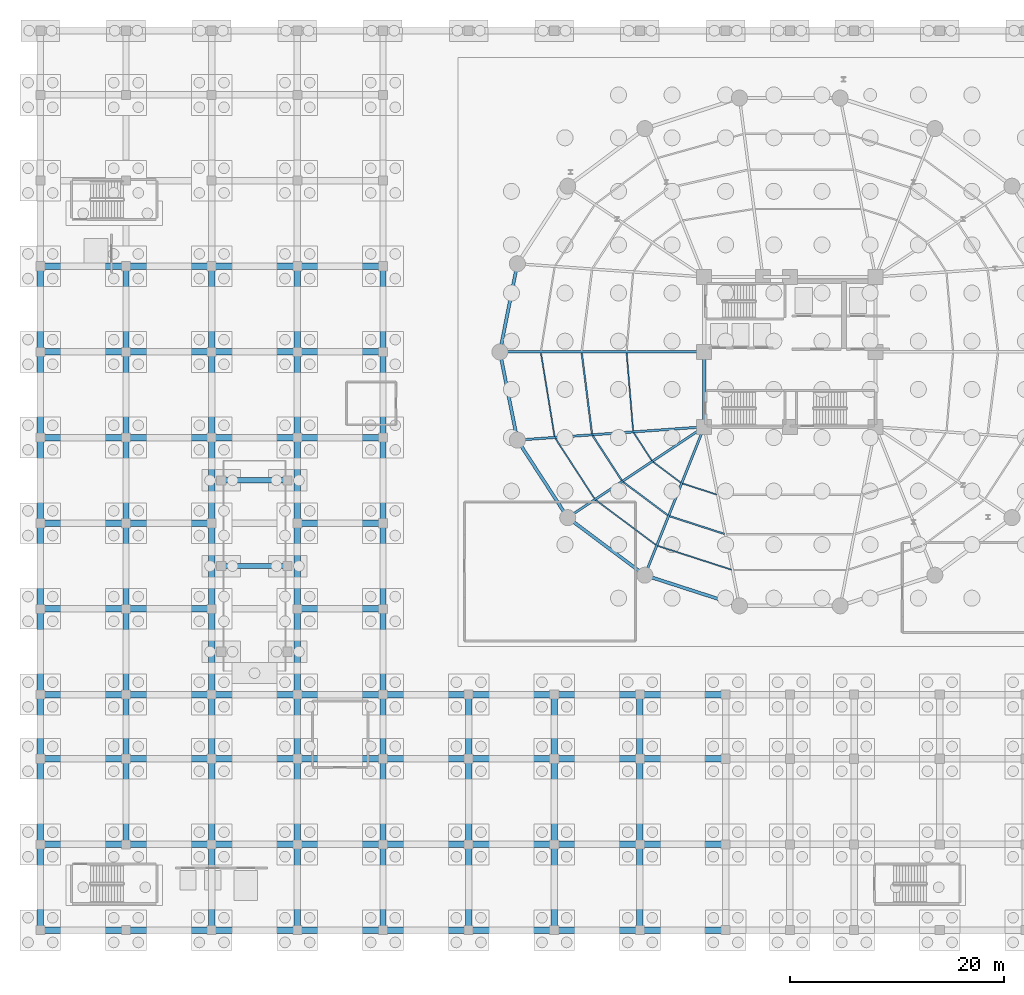
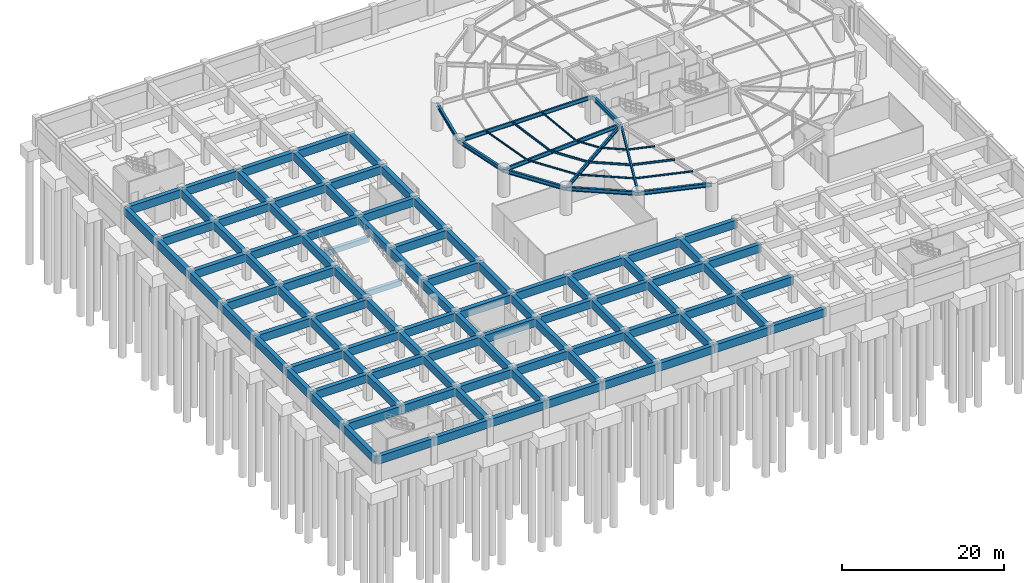
# One storey, part 8 of 23: 122 beams.
"""IFC4 building model written with IfcOpenShell, lengths in metres."""

from ifc_helpers import new_model, si_unit, direction, frame, origin, origin_2d, place, context, subcontext, project, spatial, rectangle, i_section, extrude, material, material_profile, profile_set, type_object, element, save


model = new_model("IFC4")

# Units and contexts
model_context = context("Model", 3, precision=1e-05, world=origin(), true_north=direction((0.0, 1.0)))
body_context = subcontext(model_context, "Body", "Model", "MODEL_VIEW")
ifc_project = project(units=[si_unit("LENGTHUNIT", "METRE"), si_unit("AREAUNIT", "SQUARE_METRE"), si_unit("VOLUMEUNIT", "CUBIC_METRE"), si_unit("PLANEANGLEUNIT", "RADIAN"), si_unit("MASSUNIT", "GRAM", prefix="KILO")], contexts=[model_context])

# Site, building, storey
site_placement = place(None, origin())
site = spatial("IfcSite", under=ifc_project, at=site_placement, CompositionType="ELEMENT")
building_placement = place(site_placement, origin())
building = spatial("IfcBuilding", under=site, at=building_placement, Name="Kelanora Arch Commons", CompositionType="ELEMENT")
storey_placement = place(building_placement, frame((0.0, 0.0, -8.39990234375)))
storey = spatial("IfcBuildingStorey", under=building, at=storey_placement, Name="B02", CompositionType="ELEMENT", Elevation=-8.39990234375)

# Beams
ifc_material_1 = material(Name="Concrete C45/55", Category="concrete")
ifc_material_profile_1 = material_profile(ifc_material_1, rectangle(XDim=0.60009765625, YDim=1.199951171875, at=origin_2d()), Name="RCB600x1200")
ifc_profile_set_1 = profile_set([ifc_material_profile_1], Name="Concrete C45/55")
beam_type_1 = type_object("IfcBeamType", Name="BM-BSMT-RC", PredefinedType="BEAM", material=ifc_profile_set_1)
for number, where, z_axis, x_axis, name in (
    (1, (4.0, 4.0, 3.2998046875), (1.0, 0.0, 0.0), (0.0, 1.0, 0.0), "Market/Basement Frame Beam 001 B02"),
    (2, (4.0, 4.0, 3.2998046875), (0.0, 1.0, 0.0), (-1.0, 0.0, 0.0), "Market/Basement Frame Beam 002 B02"),
    (3, (4.0, 12.0, 3.2998046875), (1.0, 0.0, 0.0), (0.0, 1.0, 0.0), "Market/Basement Frame Beam 003 B02"),
    (4, (4.0, 12.0, 3.2998046875), (0.0, 1.0, 0.0), (-1.0, 0.0, 0.0), "Market/Basement Frame Beam 004 B02"),
    (5, (4.0, 20.0, 3.2998046875), (1.0, 0.0, 0.0), (0.0, 1.0, 0.0), "Market/Basement Frame Beam 005 B02"),
):
    element("IfcBeam", number, at=place(storey_placement, frame(where, z_axis=z_axis, x_axis=x_axis)), inside=storey, type_object=beam_type_1, Name=name, PredefinedType="BEAM", context=body_context, shape_type="SweptSolid", body=[
        extrude(rectangle(XDim=0.60009765625, YDim=1.199951171875, at=origin_2d()), origin(), (0.0, 0.0, 1.0), 8.0),
    ])
beam_1_placement = place(storey_placement, frame((4.0, 20.0, 3.2998046875), z_axis=(0.0, 1.0, 0.0), x_axis=(-1.0, 0.0, 0.0)))
element("IfcBeam", 6, at=beam_1_placement, inside=storey, type_object=beam_type_1, Name="Market/Basement Frame Beam 006 B02", PredefinedType="BEAM", context=body_context, shape_type="SweptSolid", body=[
    extrude(rectangle(XDim=0.60009765625, YDim=1.199951171875, at=origin_2d()), origin(), (0.0, 0.0, 1.0), 6.0),
])
for number, where, z_axis, x_axis, name in (
    (7, (4.0, 26.0, 3.2998046875), (1.0, 0.0, 0.0), (0.0, 1.0, 0.0), "Market/Basement Frame Beam 007 B02"),
    (8, (4.0, 26.0, 3.2998046875), (0.0, 1.0, 0.0), (-1.0, 0.0, 0.0), "Market/Basement Frame Beam 008 B02"),
    (9, (4.0, 34.0, 3.2998046875), (1.0, 0.0, 0.0), (0.0, 1.0, 0.0), "Market/Basement Frame Beam 009 B02"),
    (10, (4.0, 34.0, 3.2998046875), (0.0, 1.0, 0.0), (-1.0, 0.0, 0.0), "Market/Basement Frame Beam 010 B02"),
    (11, (4.0, 42.0, 3.2998046875), (1.0, 0.0, 0.0), (0.0, 1.0, 0.0), "Market/Basement Frame Beam 011 B02"),
    (12, (4.0, 42.0, 3.2998046875), (0.0, 1.0, 0.0), (-1.0, 0.0, 0.0), "Market/Basement Frame Beam 012 B02"),
    (13, (4.0, 50.0, 3.2998046875), (1.0, 0.0, 0.0), (0.0, 1.0, 0.0), "Market/Basement Frame Beam 013 B02"),
    (14, (4.0, 50.0, 3.2998046875), (0.0, 1.0, 0.0), (-1.0, 0.0, 0.0), "Market/Basement Frame Beam 014 B02"),
    (15, (4.0, 58.0, 3.2998046875), (1.0, 0.0, 0.0), (0.0, 1.0, 0.0), "Market/Basement Frame Beam 015 B02"),
    (16, (4.0, 58.0, 3.2998046875), (0.0, 1.0, 0.0), (-1.0, 0.0, 0.0), "Market/Basement Frame Beam 016 B02"),
    (17, (4.0, 66.0, 3.2998046875), (1.0, 0.0, 0.0), (0.0, 1.0, 0.0), "Market/Basement Frame Beam 017 B02"),
    (18, (12.0, 4.0, 3.2998046875), (1.0, 0.0, 0.0), (0.0, 1.0, 0.0), "Market/Basement Frame Beam 023 B02"),
    (19, (12.0, 12.0, 3.2998046875), (1.0, 0.0, 0.0), (0.0, 1.0, 0.0), "Market/Basement Frame Beam 024 B02"),
    (20, (12.0, 12.0, 3.2998046875), (0.0, 1.0, 0.0), (-1.0, 0.0, 0.0), "Market/Basement Frame Beam 025 B02"),
    (21, (12.0, 20.0, 3.2998046875), (1.0, 0.0, 0.0), (0.0, 1.0, 0.0), "Market/Basement Frame Beam 026 B02"),
):
    element("IfcBeam", number, at=place(storey_placement, frame(where, z_axis=z_axis, x_axis=x_axis)), inside=storey, type_object=beam_type_1, Name=name, PredefinedType="BEAM", context=body_context, shape_type="SweptSolid", body=[
        extrude(rectangle(XDim=0.60009765625, YDim=1.199951171875, at=origin_2d()), origin(), (0.0, 0.0, 1.0), 8.0),
    ])
beam_2_placement = place(storey_placement, frame((12.0, 20.0, 3.2998046875), z_axis=(0.0, 1.0, 0.0), x_axis=(-1.0, 0.0, 0.0)))
element("IfcBeam", 22, at=beam_2_placement, inside=storey, type_object=beam_type_1, Name="Market/Basement Frame Beam 027 B02", PredefinedType="BEAM", context=body_context, shape_type="SweptSolid", body=[
    extrude(rectangle(XDim=0.60009765625, YDim=1.199951171875, at=origin_2d()), origin(), (0.0, 0.0, 1.0), 6.0),
])
for number, where, z_axis, x_axis, name in (
    (23, (12.0, 26.0, 3.2998046875), (1.0, 0.0, 0.0), (0.0, 1.0, 0.0), "Market/Basement Frame Beam 028 B02"),
    (24, (12.0, 26.0, 3.2998046875), (0.0, 1.0, 0.0), (-1.0, 0.0, 0.0), "Market/Basement Frame Beam 029 B02"),
    (25, (12.0, 34.0, 3.2998046875), (1.0, 0.0, 0.0), (0.0, 1.0, 0.0), "Market/Basement Frame Beam 030 B02"),
    (26, (12.0, 34.0, 3.2998046875), (0.0, 1.0, 0.0), (-1.0, 0.0, 0.0), "Market/Basement Frame Beam 031 B02"),
    (27, (12.0, 42.0, 3.2998046875), (1.0, 0.0, 0.0), (0.0, 1.0, 0.0), "Market/Basement Frame Beam 032 B02"),
    (28, (12.0, 42.0, 3.2998046875), (0.0, 1.0, 0.0), (-1.0, 0.0, 0.0), "Market/Basement Frame Beam 033 B02"),
    (29, (12.0, 50.0, 3.2998046875), (1.0, 0.0, 0.0), (0.0, 1.0, 0.0), "Market/Basement Frame Beam 034 B02"),
    (30, (12.0, 50.0, 3.2998046875), (0.0, 1.0, 0.0), (-1.0, 0.0, 0.0), "Market/Basement Frame Beam 035 B02"),
    (31, (12.0, 58.0, 3.2998046875), (1.0, 0.0, 0.0), (0.0, 1.0, 0.0), "Market/Basement Frame Beam 036 B02"),
    (32, (12.0, 58.0, 3.2998046875), (0.0, 1.0, 0.0), (-1.0, 0.0, 0.0), "Market/Basement Frame Beam 037 B02"),
    (33, (12.0, 66.0, 3.2998046875), (1.0, 0.0, 0.0), (0.0, 1.0, 0.0), "Market/Basement Frame Beam 038 B02"),
    (34, (20.0, 4.0, 3.2998046875), (1.0, 0.0, 0.0), (0.0, 1.0, 0.0), "Market/Basement Frame Beam 042 B02"),
    (35, (20.0, 4.0, 3.2998046875), (0.0, 1.0, 0.0), (-1.0, 0.0, 0.0), "Market/Basement Frame Beam 043 B02"),
    (36, (20.0, 12.0, 3.2998046875), (1.0, 0.0, 0.0), (0.0, 1.0, 0.0), "Market/Basement Frame Beam 044 B02"),
    (37, (20.0, 12.0, 3.2998046875), (0.0, 1.0, 0.0), (-1.0, 0.0, 0.0), "Market/Basement Frame Beam 045 B02"),
    (38, (20.0, 20.0, 3.2998046875), (1.0, 0.0, 0.0), (0.0, 1.0, 0.0), "Market/Basement Frame Beam 046 B02"),
):
    element("IfcBeam", number, at=place(storey_placement, frame(where, z_axis=z_axis, x_axis=x_axis)), inside=storey, type_object=beam_type_1, Name=name, PredefinedType="BEAM", context=body_context, shape_type="SweptSolid", body=[
        extrude(rectangle(XDim=0.60009765625, YDim=1.199951171875, at=origin_2d()), origin(), (0.0, 0.0, 1.0), 8.0),
    ])
beam_3_placement = place(storey_placement, frame((20.0, 20.0, 3.2998046875), z_axis=(0.0, 1.0, 0.0), x_axis=(-1.0, 0.0, 0.0)))
element("IfcBeam", 39, at=beam_3_placement, inside=storey, type_object=beam_type_1, Name="Market/Basement Frame Beam 047 B02", PredefinedType="BEAM", context=body_context, shape_type="SweptSolid", body=[
    extrude(rectangle(XDim=0.60009765625, YDim=1.199951171875, at=origin_2d()), origin(), (0.0, 0.0, 1.0), 6.0),
])
for number, where, z_axis, x_axis, name in (
    (40, (20.0, 26.0, 3.2998046875), (1.0, 0.0, 0.0), (0.0, 1.0, 0.0), "Market/Basement Frame Beam 048 B02"),
    (41, (20.0, 26.0, 3.2998046875), (0.0, 1.0, 0.0), (-1.0, 0.0, 0.0), "Market/Basement Frame Beam 049 B02"),
    (42, (20.0, 34.0, 3.2998046875), (0.0, 1.0, 0.0), (-1.0, 0.0, 0.0), "Market/Basement Frame Beam 050 B02"),
    (43, (20.0, 42.0, 3.2998046875), (0.0, 1.0, 0.0), (-1.0, 0.0, 0.0), "Market/Basement Frame Beam 051 B02"),
    (44, (20.0, 50.0, 3.2998046875), (1.0, 0.0, 0.0), (0.0, 1.0, 0.0), "Market/Basement Frame Beam 052 B02"),
    (45, (20.0, 50.0, 3.2998046875), (0.0, 1.0, 0.0), (-1.0, 0.0, 0.0), "Market/Basement Frame Beam 053 B02"),
    (46, (20.0, 58.0, 3.2998046875), (1.0, 0.0, 0.0), (0.0, 1.0, 0.0), "Market/Basement Frame Beam 054 B02"),
    (47, (20.0, 58.0, 3.2998046875), (0.0, 1.0, 0.0), (-1.0, 0.0, 0.0), "Market/Basement Frame Beam 055 B02"),
    (48, (20.0, 66.0, 3.2998046875), (1.0, 0.0, 0.0), (0.0, 1.0, 0.0), "Market/Basement Frame Beam 056 B02"),
    (49, (28.0, 4.0, 3.2998046875), (1.0, 0.0, 0.0), (0.0, 1.0, 0.0), "Market/Basement Frame Beam 063 B02"),
    (50, (28.0, 4.0, 3.2998046875), (0.0, 1.0, 0.0), (-1.0, 0.0, 0.0), "Market/Basement Frame Beam 064 B02"),
    (51, (28.0, 12.0, 3.2998046875), (1.0, 0.0, 0.0), (0.0, 1.0, 0.0), "Market/Basement Frame Beam 065 B02"),
    (52, (28.0, 12.0, 3.2998046875), (0.0, 1.0, 0.0), (-1.0, 0.0, 0.0), "Market/Basement Frame Beam 066 B02"),
    (53, (28.0, 20.0, 3.2998046875), (1.0, 0.0, 0.0), (0.0, 1.0, 0.0), "Market/Basement Frame Beam 067 B02"),
):
    element("IfcBeam", number, at=place(storey_placement, frame(where, z_axis=z_axis, x_axis=x_axis)), inside=storey, type_object=beam_type_1, Name=name, PredefinedType="BEAM", context=body_context, shape_type="SweptSolid", body=[
        extrude(rectangle(XDim=0.60009765625, YDim=1.199951171875, at=origin_2d()), origin(), (0.0, 0.0, 1.0), 8.0),
    ])
beam_4_placement = place(storey_placement, frame((28.0, 20.0, 3.2998046875), z_axis=(0.0, 1.0, 0.0), x_axis=(-1.0, 0.0, 0.0)))
element("IfcBeam", 54, at=beam_4_placement, inside=storey, type_object=beam_type_1, Name="Market/Basement Frame Beam 068 B02", PredefinedType="BEAM", context=body_context, shape_type="SweptSolid", body=[
    extrude(rectangle(XDim=0.60009765625, YDim=1.199951171875, at=origin_2d()), origin(), (0.0, 0.0, 1.0), 6.0),
])
for number, where, z_axis, x_axis, name in (
    (55, (28.0, 26.0, 3.2998046875), (1.0, 0.0, 0.0), (0.0, 1.0, 0.0), "Market/Basement Frame Beam 069 B02"),
    (56, (28.0, 26.0, 3.2998046875), (0.0, 1.0, 0.0), (-1.0, 0.0, 0.0), "Market/Basement Frame Beam 070 B02"),
    (57, (28.0, 34.0, 3.2998046875), (1.0, 0.0, 0.0), (0.0, 1.0, 0.0), "Market/Basement Frame Beam 071 B02"),
    (58, (28.0, 34.0, 3.2998046875), (0.0, 1.0, 0.0), (-1.0, 0.0, 0.0), "Market/Basement Frame Beam 072 B02"),
    (59, (28.0, 42.0, 3.2998046875), (1.0, 0.0, 0.0), (0.0, 1.0, 0.0), "Market/Basement Frame Beam 073 B02"),
    (60, (28.0, 42.0, 3.2998046875), (0.0, 1.0, 0.0), (-1.0, 0.0, 0.0), "Market/Basement Frame Beam 074 B02"),
    (61, (28.0, 50.0, 3.2998046875), (1.0, 0.0, 0.0), (0.0, 1.0, 0.0), "Market/Basement Frame Beam 075 B02"),
    (62, (28.0, 50.0, 3.2998046875), (0.0, 1.0, 0.0), (-1.0, 0.0, 0.0), "Market/Basement Frame Beam 076 B02"),
    (63, (28.0, 58.0, 3.2998046875), (1.0, 0.0, 0.0), (0.0, 1.0, 0.0), "Market/Basement Frame Beam 077 B02"),
    (64, (28.0, 58.0, 3.2998046875), (0.0, 1.0, 0.0), (-1.0, 0.0, 0.0), "Market/Basement Frame Beam 078 B02"),
    (65, (28.0, 66.0, 3.2998046875), (1.0, 0.0, 0.0), (0.0, 1.0, 0.0), "Market/Basement Frame Beam 079 B02"),
    (66, (36.0, 4.0, 3.2998046875), (1.0, 0.0, 0.0), (0.0, 1.0, 0.0), "Market/Basement Frame Beam 086 B02"),
    (67, (36.0, 4.0, 3.2998046875), (0.0, 1.0, 0.0), (-1.0, 0.0, 0.0), "Market/Basement Frame Beam 087 B02"),
    (68, (36.0, 12.0, 3.2998046875), (1.0, 0.0, 0.0), (0.0, 1.0, 0.0), "Market/Basement Frame Beam 088 B02"),
    (69, (36.0, 12.0, 3.2998046875), (0.0, 1.0, 0.0), (-1.0, 0.0, 0.0), "Market/Basement Frame Beam 089 B02"),
    (70, (36.0, 20.0, 3.2998046875), (1.0, 0.0, 0.0), (0.0, 1.0, 0.0), "Market/Basement Frame Beam 090 B02"),
):
    element("IfcBeam", number, at=place(storey_placement, frame(where, z_axis=z_axis, x_axis=x_axis)), inside=storey, type_object=beam_type_1, Name=name, PredefinedType="BEAM", context=body_context, shape_type="SweptSolid", body=[
        extrude(rectangle(XDim=0.60009765625, YDim=1.199951171875, at=origin_2d()), origin(), (0.0, 0.0, 1.0), 8.0),
    ])
beam_5_placement = place(storey_placement, frame((36.0, 20.0, 3.2998046875), z_axis=(0.0, 1.0, 0.0), x_axis=(-1.0, 0.0, 0.0)))
element("IfcBeam", 71, at=beam_5_placement, inside=storey, type_object=beam_type_1, Name="Market/Basement Frame Beam 091 B02", PredefinedType="BEAM", context=body_context, shape_type="SweptSolid", body=[
    extrude(rectangle(XDim=0.60009765625, YDim=1.199951171875, at=origin_2d()), origin(), (0.0, 0.0, 1.0), 6.0),
])
for number, where, z_axis, x_axis, name in (
    (72, (36.0, 26.0, 3.2998046875), (1.0, 0.0, 0.0), (0.0, 1.0, 0.0), "Market/Basement Frame Beam 092 B02"),
    (73, (36.0, 26.0, 3.2998046875), (0.0, 1.0, 0.0), (-1.0, 0.0, 0.0), "Market/Basement Frame Beam 093 B02"),
    (74, (36.0, 34.0, 3.2998046875), (0.0, 1.0, 0.0), (-1.0, 0.0, 0.0), "Market/Basement Frame Beam 094 B02"),
    (75, (36.0, 42.0, 3.2998046875), (0.0, 1.0, 0.0), (-1.0, 0.0, 0.0), "Market/Basement Frame Beam 095 B02"),
    (76, (36.0, 50.0, 3.2998046875), (0.0, 1.0, 0.0), (-1.0, 0.0, 0.0), "Market/Basement Frame Beam 096 B02"),
    (77, (36.0, 58.0, 3.2998046875), (0.0, 1.0, 0.0), (-1.0, 0.0, 0.0), "Market/Basement Frame Beam 097 B02"),
    (78, (44.0, 4.0, 3.2998046875), (1.0, 0.0, 0.0), (0.0, 1.0, 0.0), "Market/Basement Frame Beam 102 B02"),
    (79, (44.0, 4.0, 3.2998046875), (0.0, 1.0, 0.0), (-1.0, 0.0, 0.0), "Market/Basement Frame Beam 103 B02"),
    (80, (44.0, 12.0, 3.2998046875), (1.0, 0.0, 0.0), (0.0, 1.0, 0.0), "Market/Basement Frame Beam 104 B02"),
    (81, (44.0, 12.0, 3.2998046875), (0.0, 1.0, 0.0), (-1.0, 0.0, 0.0), "Market/Basement Frame Beam 105 B02"),
    (82, (44.0, 20.0, 3.2998046875), (1.0, 0.0, 0.0), (0.0, 1.0, 0.0), "Market/Basement Frame Beam 106 B02"),
):
    element("IfcBeam", number, at=place(storey_placement, frame(where, z_axis=z_axis, x_axis=x_axis)), inside=storey, type_object=beam_type_1, Name=name, PredefinedType="BEAM", context=body_context, shape_type="SweptSolid", body=[
        extrude(rectangle(XDim=0.60009765625, YDim=1.199951171875, at=origin_2d()), origin(), (0.0, 0.0, 1.0), 8.0),
    ])
beam_6_placement = place(storey_placement, frame((44.0, 20.0, 3.2998046875), z_axis=(0.0, 1.0, 0.0), x_axis=(-1.0, 0.0, 0.0)))
element("IfcBeam", 83, at=beam_6_placement, inside=storey, type_object=beam_type_1, Name="Market/Basement Frame Beam 107 B02", PredefinedType="BEAM", context=body_context, shape_type="SweptSolid", body=[
    extrude(rectangle(XDim=0.60009765625, YDim=1.199951171875, at=origin_2d()), origin(), (0.0, 0.0, 1.0), 6.0),
])
for number, where, z_axis, x_axis, name in (
    (84, (44.0, 26.0, 3.2998046875), (1.0, 0.0, 0.0), (0.0, 1.0, 0.0), "Market/Basement Frame Beam 108 B02"),
    (85, (52.0, 4.0, 3.2998046875), (1.0, 0.0, 0.0), (0.0, 1.0, 0.0), "Market/Basement Frame Beam 110 B02"),
    (86, (52.0, 4.0, 3.2998046875), (0.0, 1.0, 0.0), (-1.0, 0.0, 0.0), "Market/Basement Frame Beam 111 B02"),
    (87, (52.0, 12.0, 3.2998046875), (1.0, 0.0, 0.0), (0.0, 1.0, 0.0), "Market/Basement Frame Beam 112 B02"),
    (88, (52.0, 12.0, 3.2998046875), (0.0, 1.0, 0.0), (-1.0, 0.0, 0.0), "Market/Basement Frame Beam 113 B02"),
    (89, (52.0, 20.0, 3.2998046875), (1.0, 0.0, 0.0), (0.0, 1.0, 0.0), "Market/Basement Frame Beam 114 B02"),
):
    element("IfcBeam", number, at=place(storey_placement, frame(where, z_axis=z_axis, x_axis=x_axis)), inside=storey, type_object=beam_type_1, Name=name, PredefinedType="BEAM", context=body_context, shape_type="SweptSolid", body=[
        extrude(rectangle(XDim=0.60009765625, YDim=1.199951171875, at=origin_2d()), origin(), (0.0, 0.0, 1.0), 8.0),
    ])
beam_7_placement = place(storey_placement, frame((52.0, 20.0, 3.2998046875), z_axis=(0.0, 1.0, 0.0), x_axis=(-1.0, 0.0, 0.0)))
element("IfcBeam", 90, at=beam_7_placement, inside=storey, type_object=beam_type_1, Name="Market/Basement Frame Beam 115 B02", PredefinedType="BEAM", context=body_context, shape_type="SweptSolid", body=[
    extrude(rectangle(XDim=0.60009765625, YDim=1.199951171875, at=origin_2d()), origin(), (0.0, 0.0, 1.0), 6.0),
])
for number, where, z_axis, x_axis, name in (
    (91, (52.0, 26.0, 3.2998046875), (1.0, 0.0, 0.0), (0.0, 1.0, 0.0), "Market/Basement Frame Beam 116 B02"),
    (92, (60.0, 4.0, 3.2998046875), (1.0, 0.0, 0.0), (0.0, 1.0, 0.0), "Market/Basement Frame Beam 118 B02"),
    (93, (60.0, 4.0, 3.2998046875), (0.0, 1.0, 0.0), (-1.0, 0.0, 0.0), "Market/Basement Frame Beam 119 B02"),
    (94, (60.0, 12.0, 3.2998046875), (1.0, 0.0, 0.0), (0.0, 1.0, 0.0), "Market/Basement Frame Beam 120 B02"),
    (95, (60.0, 12.0, 3.2998046875), (0.0, 1.0, 0.0), (-1.0, 0.0, 0.0), "Market/Basement Frame Beam 121 B02"),
    (96, (60.0, 20.0, 3.2998046875), (1.0, 0.0, 0.0), (0.0, 1.0, 0.0), "Market/Basement Frame Beam 122 B02"),
):
    element("IfcBeam", number, at=place(storey_placement, frame(where, z_axis=z_axis, x_axis=x_axis)), inside=storey, type_object=beam_type_1, Name=name, PredefinedType="BEAM", context=body_context, shape_type="SweptSolid", body=[
        extrude(rectangle(XDim=0.60009765625, YDim=1.199951171875, at=origin_2d()), origin(), (0.0, 0.0, 1.0), 8.0),
    ])
beam_8_placement = place(storey_placement, frame((60.0, 20.0, 3.2998046875), z_axis=(0.0, 1.0, 0.0), x_axis=(-1.0, 0.0, 0.0)))
element("IfcBeam", 97, at=beam_8_placement, inside=storey, type_object=beam_type_1, Name="Market/Basement Frame Beam 123 B02", PredefinedType="BEAM", context=body_context, shape_type="SweptSolid", body=[
    extrude(rectangle(XDim=0.60009765625, YDim=1.199951171875, at=origin_2d()), origin(), (0.0, 0.0, 1.0), 6.0),
])
beam_9_placement = place(storey_placement, frame((60.0, 26.0, 3.2998046875), z_axis=(1.0, 0.0, 0.0), x_axis=(0.0, 1.0, 0.0)))
element("IfcBeam", 98, at=beam_9_placement, inside=storey, type_object=beam_type_1, Name="Market/Basement Frame Beam 124 B02", PredefinedType="BEAM", context=body_context, shape_type="SweptSolid", body=[
    extrude(rectangle(XDim=0.60009765625, YDim=1.199951171875, at=origin_2d()), origin(), (0.0, 0.0, 1.0), 8.0),
])
ifc_material_2 = material(Name="Steel S355", Category="steel")
ifc_material_profile_2 = material_profile(ifc_material_2, i_section(OverallWidth=0.300048828125, OverallDepth=0.699951171875, WebThickness=0.01708984375, FlangeThickness=0.031982421875, FilletRadius=0.027099609375, at=origin_2d()), Name="HEB700")
ifc_profile_set_2 = profile_set([ifc_material_profile_2], Name="Steel S355")
beam_type_2 = type_object("IfcBeamType", Name="BM-CORE-HDR", PredefinedType="BEAM", material=ifc_profile_set_2)
beam_10_placement = place(storey_placement, frame((66.0, 58.0, 3.5498046875), z_axis=(0.0, -1.0, 0.0), x_axis=(1.0, 0.0, 0.0)))
element("IfcBeam", 99, at=beam_10_placement, inside=storey, type_object=beam_type_2, Name="Core Header Beam 09 B02", PredefinedType="BEAM", context=body_context, shape_type="SweptSolid", body=[
    extrude(i_section(OverallWidth=0.300048828125, OverallDepth=0.699951171875, WebThickness=0.01708984375, FlangeThickness=0.031982421875, FilletRadius=0.027099609375, at=origin_2d()), origin(), (0.0, 0.0, 1.0), 7.0),
])
ifc_material_profile_3 = material_profile(ifc_material_2, i_section(OverallWidth=0.14990234375, OverallDepth=0.300048828125, WebThickness=0.007080078125, FlangeThickness=0.0107421875, FilletRadius=0.014892578125, at=origin_2d()), Name="IPE300")
ifc_profile_set_3 = profile_set([ifc_material_profile_3], Name="Steel S355")
beam_type_3 = type_object("IfcBeamType", Name="BM-JST-01", PredefinedType="JOIST", material=ifc_profile_set_3)
beam_11_placement = place(storey_placement, frame((54.562744140625, 57.915771484375, 3.75), z_axis=(0.125565841651, -0.992085288375, 0.0), x_axis=(0.992085288375, 0.125565841651, 0.0)))
element("IfcBeam", 100, at=beam_11_placement, inside=storey, type_object=beam_type_3, Name="Secondary Chord Joist BJB-18 B02", PredefinedType="JOIST", context=body_context, shape_type="SweptSolid", body=[
    extrude(i_section(OverallWidth=0.14990234375, OverallDepth=0.300048828125, WebThickness=0.007080078125, FlangeThickness=0.0107421875, FilletRadius=0.014892578125, at=origin_2d()), origin(), (0.0, 0.0, 1.0), 7.63330078125),
])
beam_12_placement = place(storey_placement, frame((55.578125, 50.187255859375, 3.75), z_axis=(0.544551588245, -0.838727350061, 0.0), x_axis=(0.838727350061, 0.544551588245, 0.0)))
element("IfcBeam", 101, at=beam_12_placement, inside=storey, type_object=beam_type_3, Name="Secondary Chord Joist BJB-20 B02", PredefinedType="JOIST", context=body_context, shape_type="SweptSolid", body=[
    extrude(i_section(OverallWidth=0.14990234375, OverallDepth=0.300048828125, WebThickness=0.007080078125, FlangeThickness=0.0107421875, FilletRadius=0.014892578125, at=origin_2d()), origin(), (0.0, 0.0, 1.0), 5.010986328125),
])
beam_13_placement = place(storey_placement, frame((58.42138671875, 45.8623046875, 3.75), z_axis=(0.801478251559, -0.598023922831, 0.0), x_axis=(0.598023922831, 0.801478251559, 0.0)))
element("IfcBeam", 102, at=beam_13_placement, inside=storey, type_object=beam_type_3, Name="Secondary Chord Joist BJB-22 B02", PredefinedType="JOIST", context=body_context, shape_type="SweptSolid", body=[
    extrude(i_section(OverallWidth=0.14990234375, OverallDepth=0.300048828125, WebThickness=0.007080078125, FlangeThickness=0.0107421875, FilletRadius=0.014892578125, at=origin_2d()), origin(), (0.0, 0.0, 1.0), 5.223388671875),
])
beam_14_placement = place(storey_placement, frame((62.7568359375, 42.66162109375, 3.75), z_axis=(0.951412209627, -0.307920131482, 0.0), x_axis=(0.307920131482, 0.951412209627, 0.0)))
element("IfcBeam", 103, at=beam_14_placement, inside=storey, type_object=beam_type_3, Name="Secondary Chord Joist BJB-24 B02", PredefinedType="JOIST", context=body_context, shape_type="SweptSolid", body=[
    extrude(i_section(OverallWidth=0.14990234375, OverallDepth=0.300048828125, WebThickness=0.007080078125, FlangeThickness=0.0107421875, FilletRadius=0.014892578125, at=origin_2d()), origin(), (0.0, 0.0, 1.0), 5.4033203125),
])
ifc_material_profile_4 = material_profile(ifc_material_2, i_section(OverallWidth=0.1201171875, OverallDepth=0.239990234375, WebThickness=0.006103515625, FlangeThickness=0.009765625, FilletRadius=0.014892578125, at=origin_2d()), Name="IPE240")
ifc_profile_set_4 = profile_set([ifc_material_profile_4], Name="Steel S355")
beam_type_4 = type_object("IfcBeamType", Name="BM-JST-02", PredefinedType="JOIST", material=ifc_profile_set_4)
beam_15_placement = place(storey_placement, frame((58.756591796875, 57.915283203125, 3.77978515625), z_axis=(0.082786209886, -0.996567330115, 0.0), x_axis=(0.996567330115, 0.082786209886, 0.0)))
element("IfcBeam", 104, at=beam_15_placement, inside=storey, type_object=beam_type_4, Name="Secondary Chord Joist BJA-18 B02", PredefinedType="JOIST", context=body_context, shape_type="SweptSolid", body=[
    extrude(i_section(OverallWidth=0.1201171875, OverallDepth=0.239990234375, WebThickness=0.006103515625, FlangeThickness=0.009765625, FilletRadius=0.014892578125, at=origin_2d()), origin(), (0.0, 0.0, 1.0), 7.325439453125),
])
beam_16_placement = place(storey_placement, frame((50.749755859375, 57.916015625, 3.77978515625), z_axis=(0.161400737199, -0.986888951216, 0.0), x_axis=(0.986888951216, 0.161400737199, 0.0)))
element("IfcBeam", 105, at=beam_16_placement, inside=storey, type_object=beam_type_4, Name="Secondary Chord Joist BJC-18 B02", PredefinedType="JOIST", context=body_context, shape_type="SweptSolid", body=[
    extrude(i_section(OverallWidth=0.1201171875, OverallDepth=0.239990234375, WebThickness=0.006103515625, FlangeThickness=0.009765625, FilletRadius=0.014892578125, at=origin_2d()), origin(), (0.0, 0.0, 1.0), 7.9248046875),
])
beam_17_placement = place(storey_placement, frame((59.41650390625, 50.458984375, 3.77978515625), z_axis=(0.544591105858, -0.838701691557, 0.0), x_axis=(0.838701691557, 0.544591105858, 0.0)))
element("IfcBeam", 106, at=beam_17_placement, inside=storey, type_object=beam_type_4, Name="Secondary Chord Joist BJA-20 B02", PredefinedType="JOIST", context=body_context, shape_type="SweptSolid", body=[
    extrude(i_section(OverallWidth=0.1201171875, OverallDepth=0.239990234375, WebThickness=0.006103515625, FlangeThickness=0.009765625, FilletRadius=0.014892578125, at=origin_2d()), origin(), (0.0, 0.0, 1.0), 3.111328125),
])
beam_18_placement = place(storey_placement, frame((52.0888671875, 49.940185546875, 3.77978515625), z_axis=(0.544550165372, -0.838728273873, 0.0), x_axis=(0.838728273873, 0.544550165372, 0.0)))
element("IfcBeam", 107, at=beam_18_placement, inside=storey, type_object=beam_type_4, Name="Secondary Chord Joist BJC-20 B02", PredefinedType="JOIST", context=body_context, shape_type="SweptSolid", body=[
    extrude(i_section(OverallWidth=0.1201171875, OverallDepth=0.239990234375, WebThickness=0.006103515625, FlangeThickness=0.009765625, FilletRadius=0.014892578125, at=origin_2d()), origin(), (0.0, 0.0, 1.0), 6.738037109375),
])
beam_19_placement = place(storey_placement, frame((61.22509765625, 47.727294921875, 3.77978515625), z_axis=(0.801513822608, -0.59797624716, 0.0), x_axis=(0.59797624716, 0.801513822608, 0.0)))
element("IfcBeam", 108, at=beam_19_placement, inside=storey, type_object=beam_type_4, Name="Secondary Chord Joist BJA-22 B02", PredefinedType="JOIST", context=body_context, shape_type="SweptSolid", body=[
    extrude(i_section(OverallWidth=0.1201171875, OverallDepth=0.239990234375, WebThickness=0.006103515625, FlangeThickness=0.009765625, FilletRadius=0.014892578125, at=origin_2d()), origin(), (0.0, 0.0, 1.0), 3.245849609375),
])
beam_20_placement = place(storey_placement, frame((55.87255859375, 44.16650390625, 3.77978515625), z_axis=(0.80149131963, -0.598006408459, 0.0), x_axis=(0.598006408459, 0.80149131963, 0.0)))
element("IfcBeam", 109, at=beam_20_placement, inside=storey, type_object=beam_type_4, Name="Secondary Chord Joist BJC-22 B02", PredefinedType="JOIST", context=body_context, shape_type="SweptSolid", body=[
    extrude(i_section(OverallWidth=0.1201171875, OverallDepth=0.239990234375, WebThickness=0.006103515625, FlangeThickness=0.009765625, FilletRadius=0.014892578125, at=origin_2d()), origin(), (0.0, 0.0, 1.0), 7.021240234375),
])
beam_21_placement = place(storey_placement, frame((63.9755859375, 45.709228515625, 3.77978515625), z_axis=(0.951422608074, -0.30788800049, 0.0), x_axis=(0.30788800049, 0.951422608074, 0.0)))
element("IfcBeam", 110, at=beam_21_placement, inside=storey, type_object=beam_type_4, Name="Secondary Chord Joist BJA-24 B02", PredefinedType="JOIST", context=body_context, shape_type="SweptSolid", body=[
    extrude(i_section(OverallWidth=0.1201171875, OverallDepth=0.239990234375, WebThickness=0.006103515625, FlangeThickness=0.009765625, FilletRadius=0.014892578125, at=origin_2d()), origin(), (0.0, 0.0, 1.0), 3.359619140625),
])
beam_22_placement = place(storey_placement, frame((61.64892578125, 39.890625, 3.77978515625), z_axis=(0.951410915705, -0.307924129418, 0.0), x_axis=(0.307924129418, 0.951410915705, 0.0)))
element("IfcBeam", 111, at=beam_22_placement, inside=storey, type_object=beam_type_4, Name="Secondary Chord Joist BJC-24 B02", PredefinedType="JOIST", context=body_context, shape_type="SweptSolid", body=[
    extrude(i_section(OverallWidth=0.1201171875, OverallDepth=0.239990234375, WebThickness=0.006103515625, FlangeThickness=0.009765625, FilletRadius=0.014892578125, at=origin_2d()), origin(), (0.0, 0.0, 1.0), 7.260986328125),
])
ifc_material_3 = material(Name="Concrete C40/50", Category="concrete")
ifc_material_profile_5 = material_profile(ifc_material_3, rectangle(XDim=0.5, YDim=0.800048828125, at=origin_2d()), Name="RCB500x800")
ifc_profile_set_5 = profile_set([ifc_material_profile_5], Name="Concrete C40/50")
beam_type_5 = type_object("IfcBeamType", Name="BM-MKT-RC1", PredefinedType="BEAM", material=ifc_profile_set_5)
for number, where, z_axis, x_axis, name in (
    (112, (20.89990234375, 38.0, 1.419921875), (1.0, 0.0, 0.0), (0.0, 1.0, 0.0), "Vehicle Ramp Mid-Span Support Beam B02"),
    (113, (20.89990234375, 46.0, 3.099853515625), (1.0, 0.0, 0.0), (0.0, 1.0, 0.0), "Vehicle Ramp Landing Support Beam B02"),
):
    element("IfcBeam", number, at=place(storey_placement, frame(where, z_axis=z_axis, x_axis=x_axis)), inside=storey, type_object=beam_type_5, Name=name, PredefinedType="BEAM", context=body_context, shape_type="SweptSolid", body=[
        extrude(rectangle(XDim=0.5, YDim=0.800048828125, at=origin_2d()), origin(), (0.0, 0.0, 1.0), 6.2001953125),
    ])
ifc_material_profile_6 = material_profile(ifc_material_2, i_section(OverallWidth=0.219970703125, OverallDepth=0.60009765625, WebThickness=0.011962890625, FlangeThickness=0.01904296875, FilletRadius=0.02392578125, at=origin_2d()), Name="IPE600")
ifc_profile_set_6 = profile_set([ifc_material_profile_6], Name="Steel S355")
beam_type_6 = type_object("IfcBeamType", Name="BM-RAD-Z1", PredefinedType="BEAM", material=ifc_profile_set_6)
beam_23_placement = place(storey_placement, frame((66.0, 58.0, 3.599853515625), z_axis=(-1.0, 0.0, 0.0), x_axis=(0.0, -1.0, 0.0)))
element("IfcBeam", 114, at=beam_23_placement, inside=storey, type_object=beam_type_6, Name="Radial Floor Girder BR-18 B02", PredefinedType="BEAM", context=body_context, shape_type="SweptSolid", body=[
    extrude(i_section(OverallWidth=0.219970703125, OverallDepth=0.60009765625, WebThickness=0.011962890625, FlangeThickness=0.01904296875, FilletRadius=0.02392578125, at=origin_2d()), origin(), (0.0, 0.0, 1.0), 19.080078125),
])
beam_24_placement = place(storey_placement, frame((66.0, 51.0, 3.599853515625), z_axis=(-0.997500683472, -0.070656821848, 0.0), x_axis=(0.070656821848, -0.997500683472, 0.0)))
element("IfcBeam", 115, at=beam_24_placement, inside=storey, type_object=beam_type_6, Name="Radial Floor Girder BR-20 B02", PredefinedType="BEAM", context=body_context, shape_type="SweptSolid", body=[
    extrude(i_section(OverallWidth=0.219970703125, OverallDepth=0.60009765625, WebThickness=0.011962890625, FlangeThickness=0.01904296875, FilletRadius=0.02392578125, at=origin_2d()), origin(), (0.0, 0.0, 1.0), 17.49072265625),
])
beam_25_placement = place(storey_placement, frame((66.0, 51.0, 3.599853515625), z_axis=(-0.832592187754, -0.553886494591, 0.0), x_axis=(0.553886494591, -0.832592187754, 0.0)))
element("IfcBeam", 116, at=beam_25_placement, inside=storey, type_object=beam_type_6, Name="Radial Floor Girder BR-22 B02", PredefinedType="BEAM", context=body_context, shape_type="SweptSolid", body=[
    extrude(i_section(OverallWidth=0.219970703125, OverallDepth=0.60009765625, WebThickness=0.011962890625, FlangeThickness=0.01904296875, FilletRadius=0.02392578125, at=origin_2d()), origin(), (0.0, 0.0, 1.0), 15.306884765625),
])
beam_26_placement = place(storey_placement, frame((66.0, 51.0, 3.599853515625), z_axis=(-0.371300398117, -0.928512797089, 0.0), x_axis=(0.928512797089, -0.371300398117, 0.0)))
element("IfcBeam", 117, at=beam_26_placement, inside=storey, type_object=beam_type_6, Name="Radial Floor Girder BR-24 B02", PredefinedType="BEAM", context=body_context, shape_type="SweptSolid", body=[
    extrude(i_section(OverallWidth=0.219970703125, OverallDepth=0.60009765625, WebThickness=0.011962890625, FlangeThickness=0.01904296875, FilletRadius=0.02392578125, at=origin_2d()), origin(), (0.0, 0.0, 1.0), 14.920654296875),
])
ifc_material_profile_7 = material_profile(ifc_material_2, i_section(OverallWidth=0.300048828125, OverallDepth=0.60009765625, WebThickness=0.015380859375, FlangeThickness=0.030029296875, FilletRadius=0.027099609375, at=origin_2d()), Name="HEB600")
ifc_profile_set_7 = profile_set([ifc_material_profile_7], Name="Steel S355")
beam_type_7 = type_object("IfcBeamType", Name="BM-SPN-Z1", PredefinedType="SPANDREL", material=ifc_profile_set_7)
for number, where, z_axis, x_axis, name in (
    (118, (48.552978515625, 66.23583984375, 3.599853515625), (-0.194499827256, -0.980902552345, 0.0), (0.980902552345, -0.194499827256, 0.0), "Perimeter Spandrel Beam BS-16 B02"),
    (119, (46.919921875, 58.0, 3.599853515625), (0.194499827256, -0.980902552345, 0.0), (0.980902552345, 0.194499827256, 0.0), "Perimeter Spandrel Beam BS-18 B02"),
):
    element("IfcBeam", number, at=place(storey_placement, frame(where, z_axis=z_axis, x_axis=x_axis)), inside=storey, type_object=beam_type_7, Name=name, PredefinedType="SPANDREL", context=body_context, shape_type="SweptSolid", body=[
        extrude(i_section(OverallWidth=0.300048828125, OverallDepth=0.60009765625, WebThickness=0.015380859375, FlangeThickness=0.030029296875, FilletRadius=0.027099609375, at=origin_2d()), origin(), (0.0, 0.0, 1.0), 8.396240234375),
    ])
beam_27_placement = place(storey_placement, frame((48.552978515625, 49.76416015625, 3.599853515625), z_axis=(0.544585813928, -0.838705127722, 0.0), x_axis=(0.838705127722, 0.544585813928, 0.0)))
element("IfcBeam", 120, at=beam_27_placement, inside=storey, type_object=beam_type_7, Name="Perimeter Spandrel Beam BS-20 B02", PredefinedType="SPANDREL", context=body_context, shape_type="SweptSolid", body=[
    extrude(i_section(OverallWidth=0.300048828125, OverallDepth=0.60009765625, WebThickness=0.015380859375, FlangeThickness=0.030029296875, FilletRadius=0.027099609375, at=origin_2d()), origin(), (0.0, 0.0, 1.0), 8.63525390625),
])
beam_28_placement = place(storey_placement, frame((53.255615234375, 42.521728515625, 3.599853515625), z_axis=(0.801467504127, -0.598038326388, 0.0), x_axis=(0.598038326388, 0.801467504127, 0.0)))
element("IfcBeam", 121, at=beam_28_placement, inside=storey, type_object=beam_type_7, Name="Perimeter Spandrel Beam BS-22 B02", PredefinedType="SPANDREL", context=body_context, shape_type="SweptSolid", body=[
    extrude(i_section(OverallWidth=0.300048828125, OverallDepth=0.60009765625, WebThickness=0.015380859375, FlangeThickness=0.030029296875, FilletRadius=0.027099609375, at=origin_2d()), origin(), (0.0, 0.0, 1.0), 8.989013671875),
])
beam_29_placement = place(storey_placement, frame((60.4599609375, 37.14599609375, 3.599853515625), z_axis=(0.951417120402, -0.307904957748, 0.0), x_axis=(0.307904957748, 0.951417120402, 0.0)))
element("IfcBeam", 122, at=beam_29_placement, inside=storey, type_object=beam_type_7, Name="Perimeter Spandrel Beam BS-24 B02", PredefinedType="SPANDREL", context=body_context, shape_type="SweptSolid", body=[
    extrude(i_section(OverallWidth=0.300048828125, OverallDepth=0.60009765625, WebThickness=0.015380859375, FlangeThickness=0.030029296875, FilletRadius=0.027099609375, at=origin_2d()), origin(), (0.0, 0.0, 1.0), 9.288818359375),
])

save(model, "model.ifc")
